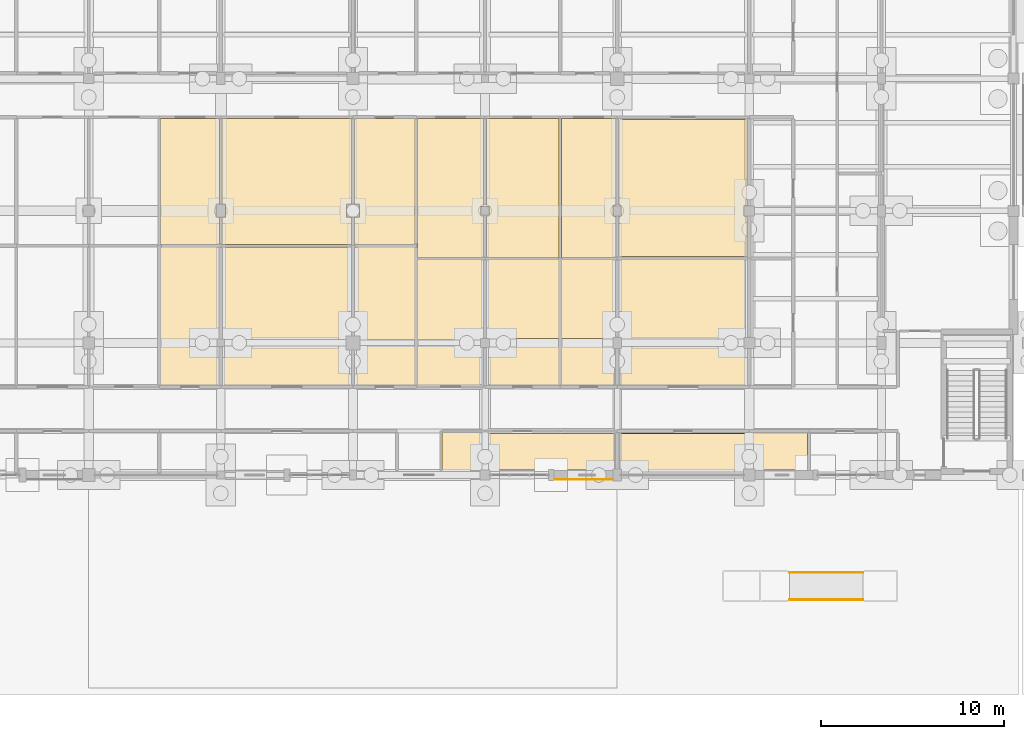
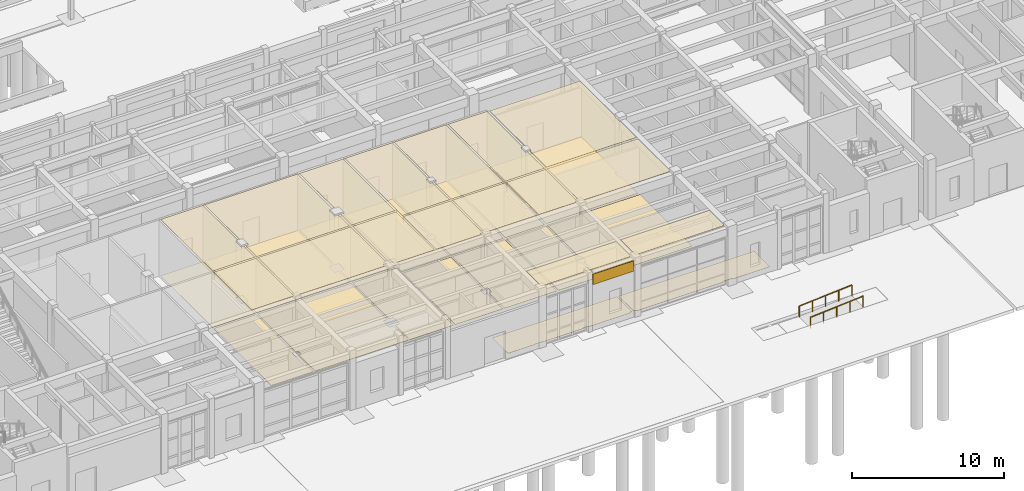
# One storey, part 129 of 143: 33 coverings, 2 railings.
"""IFC4 building model written with IfcOpenShell, lengths in metres."""

from ifc_helpers import new_model, si_unit, direction, frame, origin, origin_2d, place, context, subcontext, project, spatial, polyline, rectangle, circle, outline, extrude, material, layer, layer_set, type_object, element, save


model = new_model("IFC4")

# Units and contexts
model_context = context("Model", 3, precision=1e-05, world=origin(), true_north=direction((0.0, 1.0)))
body_context = subcontext(model_context, "Body", "Model", "MODEL_VIEW")
ifc_project = project(units=[si_unit("LENGTHUNIT", "METRE"), si_unit("AREAUNIT", "SQUARE_METRE"), si_unit("VOLUMEUNIT", "CUBIC_METRE"), si_unit("PLANEANGLEUNIT", "RADIAN"), si_unit("MASSUNIT", "GRAM", prefix="KILO")], contexts=[model_context])

# Site, building, storey
site_placement = place(None, origin())
site = spatial("IfcSite", under=ifc_project, at=site_placement, CompositionType="ELEMENT")
building_placement = place(site_placement, origin())
building = spatial("IfcBuilding", under=site, at=building_placement, Name="Steenspoor Specialist Clinic", CompositionType="ELEMENT")
storey_placement = place(building_placement, origin())
storey = spatial("IfcBuildingStorey", under=building, at=storey_placement, Name="L00", CompositionType="ELEMENT", Elevation=0.0)

# Coverings
ifc_material_1 = material(Name="Washable acoustic mineral ceiling board", Category="gypsum")
ifc_layer_1 = layer(ifc_material_1, 0.02490234375)
ifc_layer_set_1 = layer_set([ifc_layer_1], Name="Washable acoustic mineral ceiling board")
covering_type_1 = type_object("IfcCoveringType", Name="COV-CEIL-ACOUSTIC", PredefinedType="CEILING", material=ifc_layer_set_1)
covering_1_placement = place(storey_placement, frame((0.0, 0.0, 4.52490234375)))
element("IfcCovering", 1, at=covering_1_placement, inside=storey, type_object=covering_type_1, Name="Acoustic Clinical Ceiling 003", PredefinedType="CEILING", context=body_context, shape_type="SweptSolid", body=[
    extrude(outline(polyline([(92.1650390625, 13.31005859375), (92.1650390625, 13.375), (91.8349609375, 13.375), (91.8349609375, 13.31005859375), (88.68994140625, 13.31005859375), (88.68994140625, 13.340087890625), (88.594970703125, 13.340087890625), (88.594970703125, 15.300048828125), (95.429931640625, 15.300048828125), (95.429931640625, 13.389892578125), (95.360107421875, 13.389892578125), (95.360107421875, 13.31005859375), (92.1650390625, 13.31005859375)])), origin(), (0.0, 0.0, 1.0), 0.025146484375),
])
covering_2_placement = place(storey_placement, frame((0.0, 0.0, 4.52490234375)))
element("IfcCovering", 2, at=covering_2_placement, inside=storey, type_object=covering_type_1, Name="Acoustic Clinical Ceiling 004", PredefinedType="CEILING", context=body_context, shape_type="SweptSolid", body=[
    extrude(outline(polyline([(95.840087890625, 13.31005859375), (95.840087890625, 13.389892578125), (95.77001953125, 13.389892578125), (95.77001953125, 15.31005859375), (102.554931640625, 15.31005859375), (102.554931640625, 13.389892578125), (102.4599609375, 13.389892578125), (102.4599609375, 13.31005859375), (95.840087890625, 13.31005859375)])), origin(), (0.0, 0.0, 1.0), 0.025146484375),
])
covering_3_placement = place(storey_placement, frame((0.0, 0.0, 4.52490234375)))
element("IfcCovering", 3, at=covering_3_placement, inside=storey, type_object=covering_type_1, Name="Acoustic Clinical Ceiling 008", PredefinedType="CEILING", context=body_context, shape_type="SweptSolid", body=[
    extrude(outline(polyline([(73.93505859375, 20.465087890625), (73.804931640625, 20.465087890625), (73.804931640625, 20.469970703125), (70.715087890625, 20.469970703125), (70.715087890625, 25.485107421875), (73.93505859375, 25.485107421875), (73.93505859375, 20.465087890625)])), origin(), (0.0, 0.0, 1.0), 0.025146484375),
])
covering_4_placement = place(storey_placement, frame((0.0, 0.0, 4.52490234375)))
element("IfcCovering", 4, at=covering_4_placement, inside=storey, type_object=covering_type_1, Name="Acoustic Clinical Ceiling 009", PredefinedType="CEILING", context=body_context, shape_type="SweptSolid", body=[
    extrude(outline(polyline([(81.135009765625, 20.639892578125), (80.81005859375, 20.639892578125), (80.81005859375, 20.445068359375), (74.215087890625, 20.445068359375), (74.215087890625, 20.465087890625), (74.06494140625, 20.465087890625), (74.06494140625, 25.485107421875), (81.135009765625, 25.485107421875), (81.135009765625, 20.639892578125)])), origin(), (0.0, 0.0, 1.0), 0.025146484375),
])
covering_5_placement = place(storey_placement, frame((0.0, 0.0, 4.52490234375)))
element("IfcCovering", 5, at=covering_5_placement, inside=storey, type_object=covering_type_1, Name="Acoustic Clinical Ceiling 010", PredefinedType="CEILING", context=body_context, shape_type="SweptSolid", body=[
    extrude(outline(polyline([(84.5849609375, 20.419921875), (81.590087890625, 20.419921875), (81.590087890625, 20.639892578125), (81.264892578125, 20.639892578125), (81.264892578125, 25.485107421875), (84.5849609375, 25.485107421875), (84.5849609375, 20.419921875)])), origin(), (0.0, 0.0, 1.0), 0.025146484375),
])
covering_6_placement = place(storey_placement, frame((0.0, 0.0, 4.52490234375)))
element("IfcCovering", 6, at=covering_6_placement, inside=storey, type_object=covering_type_1, Name="Acoustic Clinical Ceiling 011", PredefinedType="CEILING", context=body_context, shape_type="SweptSolid", body=[
    extrude(outline(polyline([(88.3349609375, 20.514892578125), (88.135009765625, 20.514892578125), (88.135009765625, 20.419921875), (84.715087890625, 20.419921875), (84.715087890625, 24.784912109375), (88.3349609375, 24.784912109375), (88.3349609375, 20.514892578125)])), origin(), (0.0, 0.0, 1.0), 0.025146484375),
])
covering_7_placement = place(storey_placement, frame((0.0, 0.0, 4.52490234375)))
element("IfcCovering", 7, at=covering_7_placement, inside=storey, type_object=covering_type_1, Name="Acoustic Clinical Ceiling 012", PredefinedType="CEILING", context=body_context, shape_type="SweptSolid", body=[
    extrude(outline(polyline([(92.43505859375, 20.4951171875), (88.6650390625, 20.4951171875), (88.6650390625, 20.514892578125), (88.465087890625, 20.514892578125), (88.465087890625, 24.784912109375), (92.43505859375, 24.784912109375), (92.43505859375, 20.4951171875)])), origin(), (0.0, 0.0, 1.0), 0.025146484375),
])
covering_8_placement = place(storey_placement, frame((0.0, 0.0, 4.52490234375)))
element("IfcCovering", 8, at=covering_8_placement, inside=storey, type_object=covering_type_1, Name="Acoustic Clinical Ceiling 013", PredefinedType="CEILING", context=body_context, shape_type="SweptSolid", body=[
    extrude(outline(polyline([(95.534912109375, 20.56494140625), (95.360107421875, 20.56494140625), (95.360107421875, 20.4951171875), (92.56494140625, 20.4951171875), (92.56494140625, 24.784912109375), (95.534912109375, 24.784912109375), (95.534912109375, 20.56494140625)])), origin(), (0.0, 0.0, 1.0), 0.025146484375),
])
covering_9_placement = place(storey_placement, frame((0.0, 0.0, 4.52490234375)))
element("IfcCovering", 9, at=covering_9_placement, inside=storey, type_object=covering_type_1, Name="Acoustic Clinical Ceiling 014", PredefinedType="CEILING", context=body_context, shape_type="SweptSolid", body=[
    extrude(outline(polyline([(95.6650390625, 24.784912109375), (102.580078125, 24.784912109375), (102.580078125, 20.56494140625), (102.485107421875, 20.56494140625), (102.485107421875, 20.469970703125), (95.840087890625, 20.469970703125), (95.840087890625, 20.56494140625), (95.6650390625, 20.56494140625), (95.6650390625, 24.784912109375)])), origin(), (0.0, 0.0, 1.0), 0.025146484375),
])
covering_10_placement = place(storey_placement, frame((0.0, 0.0, 4.52490234375)))
element("IfcCovering", 10, at=covering_10_placement, inside=storey, type_object=covering_type_1, Name="Acoustic Clinical Ceiling 015", PredefinedType="CEILING", context=body_context, shape_type="SweptSolid", body=[
    extrude(outline(polyline([(88.3349609375, 27.68994140625), (88.159912109375, 27.68994140625), (88.159912109375, 27.2099609375), (88.3349609375, 27.2099609375), (88.3349609375, 24.9150390625), (84.715087890625, 24.9150390625), (84.715087890625, 32.485107421875), (88.3349609375, 32.485107421875), (88.3349609375, 27.68994140625)])), origin(), (0.0, 0.0, 1.0), 0.025146484375),
])
covering_11_placement = place(storey_placement, frame((0.0, 0.0, 4.52490234375)))
element("IfcCovering", 11, at=covering_11_placement, inside=storey, type_object=covering_type_1, Name="Acoustic Clinical Ceiling 016", PredefinedType="CEILING", context=body_context, shape_type="SweptSolid", body=[
    extrude(outline(polyline([(92.43505859375, 24.9150390625), (88.465087890625, 24.9150390625), (88.465087890625, 27.2099609375), (88.639892578125, 27.2099609375), (88.639892578125, 27.68994140625), (88.465087890625, 27.68994140625), (88.465087890625, 32.485107421875), (92.43505859375, 32.485107421875), (92.43505859375, 24.9150390625)])), origin(), (0.0, 0.0, 1.0), 0.025146484375),
])
covering_12_placement = place(storey_placement, frame((0.0, 0.0, 4.52490234375)))
element("IfcCovering", 12, at=covering_12_placement, inside=storey, type_object=covering_type_1, Name="Acoustic Clinical Ceiling 017", PredefinedType="CEILING", context=body_context, shape_type="SweptSolid", body=[
    extrude(outline(polyline([(95.534912109375, 27.739990234375), (95.385009765625, 27.739990234375), (95.385009765625, 27.159912109375), (95.534912109375, 27.159912109375), (95.534912109375, 24.9150390625), (92.56494140625, 24.9150390625), (92.56494140625, 32.485107421875), (95.534912109375, 32.485107421875), (95.534912109375, 27.739990234375)])), origin(), (0.0, 0.0, 1.0), 0.025146484375),
])
covering_13_placement = place(storey_placement, frame((0.0, 0.0, 4.52490234375)))
element("IfcCovering", 13, at=covering_13_placement, inside=storey, type_object=covering_type_1, Name="Acoustic Clinical Ceiling 018", PredefinedType="CEILING", context=body_context, shape_type="SweptSolid", body=[
    extrude(outline(polyline([(95.715087890625, 24.965087890625), (95.715087890625, 27.159912109375), (95.81494140625, 27.159912109375), (95.81494140625, 27.739990234375), (95.715087890625, 27.739990234375), (95.715087890625, 32.43505859375), (102.580078125, 32.43505859375), (102.580078125, 27.739990234375), (102.510009765625, 27.739990234375), (102.510009765625, 27.159912109375), (102.580078125, 27.159912109375), (102.580078125, 24.965087890625), (95.715087890625, 24.965087890625)])), origin(), (0.0, 0.0, 1.0), 0.025146484375),
])
covering_14_placement = place(storey_placement, frame((0.0, 0.0, 4.52490234375)))
element("IfcCovering", 14, at=covering_14_placement, inside=storey, type_object=covering_type_1, Name="Acoustic Clinical Ceiling 022", PredefinedType="CEILING", context=body_context, shape_type="SweptSolid", body=[
    extrude(outline(polyline([(73.93505859375, 27.81494140625), (73.735107421875, 27.81494140625), (73.735107421875, 27.0849609375), (73.93505859375, 27.0849609375), (73.93505859375, 25.614990234375), (70.715087890625, 25.614990234375), (70.715087890625, 32.485107421875), (73.93505859375, 32.485107421875), (73.93505859375, 27.81494140625)])), origin(), (0.0, 0.0, 1.0), 0.025146484375),
])
covering_15_placement = place(storey_placement, frame((0.0, 0.0, 4.52490234375)))
element("IfcCovering", 15, at=covering_15_placement, inside=storey, type_object=covering_type_1, Name="Acoustic Clinical Ceiling 023", PredefinedType="CEILING", context=body_context, shape_type="SweptSolid", body=[
    extrude(outline(polyline([(81.135009765625, 27.81494140625), (80.8349609375, 27.81494140625), (80.8349609375, 27.0849609375), (81.135009765625, 27.0849609375), (81.135009765625, 25.614990234375), (74.06494140625, 25.614990234375), (74.06494140625, 27.0849609375), (74.264892578125, 27.0849609375), (74.264892578125, 27.81494140625), (74.06494140625, 27.81494140625), (74.06494140625, 32.485107421875), (81.135009765625, 32.485107421875), (81.135009765625, 27.81494140625)])), origin(), (0.0, 0.0, 1.0), 0.025146484375),
])
covering_16_placement = place(storey_placement, frame((0.0, 0.0, 4.52490234375)))
element("IfcCovering", 16, at=covering_16_placement, inside=storey, type_object=covering_type_1, Name="Acoustic Clinical Ceiling 024", PredefinedType="CEILING", context=body_context, shape_type="SweptSolid", body=[
    extrude(outline(polyline([(84.5849609375, 25.614990234375), (81.264892578125, 25.614990234375), (81.264892578125, 27.0849609375), (81.56494140625, 27.0849609375), (81.56494140625, 27.81494140625), (81.264892578125, 27.81494140625), (81.264892578125, 32.485107421875), (84.5849609375, 32.485107421875), (84.5849609375, 25.614990234375)])), origin(), (0.0, 0.0, 1.0), 0.025146484375),
])
ifc_material_2 = material(Name="Glazed ceramic relief spandrel cladding", Category="masonry")
ifc_layer_2 = layer(ifc_material_2, 0.034912109375)
ifc_layer_set_2 = layer_set([ifc_layer_2], Name="Glazed ceramic relief spandrel cladding")
covering_type_2 = type_object("IfcCoveringType", Name="COV-CLAD-CERAMIC", PredefinedType="CLADDING", material=ifc_layer_set_2)
covering_17_placement = place(storey_placement, frame((93.762451171875, 12.800048828125, 3.71484375), z_axis=(0.0, 0.0, 1.0), x_axis=(-1.0, 0.0, 0.0)))
element("IfcCovering", 17, at=covering_17_placement, inside=storey, type_object=covering_type_2, Name="Spandrel Cladding 1", PredefinedType="CLADDING", context=body_context, shape_type="SweptSolid", body=[
    extrude(rectangle(XDim=3.10498046875, YDim=0.0400390625, at=origin_2d()), origin(), (0.0, 0.0, 1.0), 0.840087890625),
])
ifc_material_3 = material(Name="Seamless clinical vinyl and terrazzo flooring", Category="plastic")
ifc_layer_3 = layer(ifc_material_3, 0.02001953125)
ifc_layer_set_3 = layer_set([ifc_layer_3], Name="Seamless clinical vinyl and terrazzo flooring")
covering_type_3 = type_object("IfcCoveringType", Name="COV-FLOOR-VINYL", PredefinedType="FLOORING", material=ifc_layer_set_3)
covering_18_placement = place(storey_placement, origin())
element("IfcCovering", 18, at=covering_18_placement, inside=storey, type_object=covering_type_3, Name="Clinical Vinyl Flooring 4", PredefinedType="FLOORING", context=body_context, shape_type="SweptSolid", body=[
    extrude(outline(polyline([(92.1650390625, 13.31005859375), (92.1650390625, 13.375), (91.8349609375, 13.375), (91.8349609375, 13.31005859375), (88.68994140625, 13.31005859375), (88.68994140625, 13.340087890625), (88.110107421875, 13.340087890625), (88.110107421875, 13.31005859375), (86.06494140625, 13.31005859375), (86.06494140625, 15.385009765625), (95.534912109375, 15.385009765625), (95.534912109375, 13.389892578125), (95.360107421875, 13.389892578125), (95.360107421875, 13.31005859375), (92.1650390625, 13.31005859375)])), origin(), (0.0, 0.0, 1.0), 0.02001953125),
])
covering_19_placement = place(storey_placement, origin())
element("IfcCovering", 19, at=covering_19_placement, inside=storey, type_object=covering_type_3, Name="Clinical Vinyl Flooring 5", PredefinedType="FLOORING", context=body_context, shape_type="SweptSolid", body=[
    extrude(outline(polyline([(103.139892578125, 13.31005859375), (103.139892578125, 13.389892578125), (102.4599609375, 13.389892578125), (102.4599609375, 13.31005859375), (95.840087890625, 13.31005859375), (95.840087890625, 13.389892578125), (95.6650390625, 13.389892578125), (95.6650390625, 15.385009765625), (105.985107421875, 15.385009765625), (105.985107421875, 13.31005859375), (103.139892578125, 13.31005859375)])), origin(), (0.0, 0.0, 1.0), 0.02001953125),
])
covering_20_placement = place(storey_placement, origin())
element("IfcCovering", 20, at=covering_20_placement, inside=storey, type_object=covering_type_3, Name="Clinical Vinyl Flooring 9", PredefinedType="FLOORING", context=body_context, shape_type="SweptSolid", body=[
    extrude(outline(polyline([(73.93505859375, 25.485107421875), (73.93505859375, 20.465087890625), (73.784912109375, 20.465087890625), (73.784912109375, 20.034912109375), (73.93505859375, 20.034912109375), (73.93505859375, 17.9150390625), (70.715087890625, 17.9150390625), (70.715087890625, 25.485107421875), (73.93505859375, 25.485107421875)])), origin(), (0.0, 0.0, 1.0), 0.02001953125),
])
covering_21_placement = place(storey_placement, origin())
element("IfcCovering", 21, at=covering_21_placement, inside=storey, type_object=covering_type_3, Name="Clinical Vinyl Flooring 10", PredefinedType="FLOORING", context=body_context, shape_type="SweptSolid", body=[
    extrude(outline(polyline([(81.135009765625, 25.485107421875), (81.135009765625, 20.639892578125), (80.81005859375, 20.639892578125), (80.81005859375, 19.860107421875), (81.135009765625, 19.860107421875), (81.135009765625, 17.9150390625), (74.06494140625, 17.9150390625), (74.06494140625, 20.034912109375), (74.215087890625, 20.034912109375), (74.215087890625, 20.465087890625), (74.06494140625, 20.465087890625), (74.06494140625, 25.485107421875), (81.135009765625, 25.485107421875)])), origin(), (0.0, 0.0, 1.0), 0.02001953125),
])
covering_22_placement = place(storey_placement, origin())
element("IfcCovering", 22, at=covering_22_placement, inside=storey, type_object=covering_type_3, Name="Clinical Vinyl Flooring 11", PredefinedType="FLOORING", context=body_context, shape_type="SweptSolid", body=[
    extrude(outline(polyline([(84.5849609375, 25.485107421875), (84.5849609375, 17.9150390625), (81.264892578125, 17.9150390625), (81.264892578125, 19.860107421875), (81.590087890625, 19.860107421875), (81.590087890625, 20.639892578125), (81.264892578125, 20.639892578125), (81.264892578125, 25.485107421875), (84.5849609375, 25.485107421875)])), origin(), (0.0, 0.0, 1.0), 0.02001953125),
])
covering_23_placement = place(storey_placement, origin())
element("IfcCovering", 23, at=covering_23_placement, inside=storey, type_object=covering_type_3, Name="Clinical Vinyl Flooring 12", PredefinedType="FLOORING", context=body_context, shape_type="SweptSolid", body=[
    extrude(outline(polyline([(88.3349609375, 24.784912109375), (88.3349609375, 20.514892578125), (88.135009765625, 20.514892578125), (88.135009765625, 19.985107421875), (88.3349609375, 19.985107421875), (88.3349609375, 17.9150390625), (84.715087890625, 17.9150390625), (84.715087890625, 24.784912109375), (88.3349609375, 24.784912109375)])), origin(), (0.0, 0.0, 1.0), 0.02001953125),
])
covering_24_placement = place(storey_placement, origin())
element("IfcCovering", 24, at=covering_24_placement, inside=storey, type_object=covering_type_3, Name="Clinical Vinyl Flooring 13", PredefinedType="FLOORING", context=body_context, shape_type="SweptSolid", body=[
    extrude(outline(polyline([(92.43505859375, 24.784912109375), (92.43505859375, 17.9150390625), (88.465087890625, 17.9150390625), (88.465087890625, 19.985107421875), (88.6650390625, 19.985107421875), (88.6650390625, 20.514892578125), (88.465087890625, 20.514892578125), (88.465087890625, 24.784912109375), (92.43505859375, 24.784912109375)])), origin(), (0.0, 0.0, 1.0), 0.02001953125),
])
covering_25_placement = place(storey_placement, origin())
element("IfcCovering", 25, at=covering_25_placement, inside=storey, type_object=covering_type_3, Name="Clinical Vinyl Flooring 14", PredefinedType="FLOORING", context=body_context, shape_type="SweptSolid", body=[
    extrude(outline(polyline([(95.534912109375, 24.784912109375), (95.534912109375, 20.56494140625), (95.360107421875, 20.56494140625), (95.360107421875, 19.93505859375), (95.534912109375, 19.93505859375), (95.534912109375, 17.9150390625), (92.56494140625, 17.9150390625), (92.56494140625, 24.784912109375), (95.534912109375, 24.784912109375)])), origin(), (0.0, 0.0, 1.0), 0.02001953125),
])
covering_26_placement = place(storey_placement, origin())
element("IfcCovering", 26, at=covering_26_placement, inside=storey, type_object=covering_type_3, Name="Clinical Vinyl Flooring 15", PredefinedType="FLOORING", context=body_context, shape_type="SweptSolid", body=[
    extrude(outline(polyline([(102.735107421875, 24.784912109375), (102.735107421875, 20.56494140625), (102.485107421875, 20.56494140625), (102.485107421875, 19.93505859375), (102.735107421875, 19.93505859375), (102.735107421875, 17.9150390625), (95.6650390625, 17.9150390625), (95.6650390625, 19.93505859375), (95.840087890625, 19.93505859375), (95.840087890625, 20.56494140625), (95.6650390625, 20.56494140625), (95.6650390625, 24.784912109375), (102.735107421875, 24.784912109375)])), origin(), (0.0, 0.0, 1.0), 0.02001953125),
])
covering_27_placement = place(storey_placement, origin())
element("IfcCovering", 27, at=covering_27_placement, inside=storey, type_object=covering_type_3, Name="Clinical Vinyl Flooring 18", PredefinedType="FLOORING", context=body_context, shape_type="SweptSolid", body=[
    extrude(outline(polyline([(88.3349609375, 32.485107421875), (88.3349609375, 27.68994140625), (88.159912109375, 27.68994140625), (88.159912109375, 27.2099609375), (88.3349609375, 27.2099609375), (88.3349609375, 24.9150390625), (84.715087890625, 24.9150390625), (84.715087890625, 32.485107421875), (88.3349609375, 32.485107421875)])), origin(), (0.0, 0.0, 1.0), 0.02001953125),
])
covering_28_placement = place(storey_placement, origin())
element("IfcCovering", 28, at=covering_28_placement, inside=storey, type_object=covering_type_3, Name="Clinical Vinyl Flooring 19", PredefinedType="FLOORING", context=body_context, shape_type="SweptSolid", body=[
    extrude(outline(polyline([(92.43505859375, 32.485107421875), (92.43505859375, 24.9150390625), (88.465087890625, 24.9150390625), (88.465087890625, 27.2099609375), (88.639892578125, 27.2099609375), (88.639892578125, 27.68994140625), (88.465087890625, 27.68994140625), (88.465087890625, 32.485107421875), (92.43505859375, 32.485107421875)])), origin(), (0.0, 0.0, 1.0), 0.02001953125),
])
covering_29_placement = place(storey_placement, origin())
element("IfcCovering", 29, at=covering_29_placement, inside=storey, type_object=covering_type_3, Name="Clinical Vinyl Flooring 20", PredefinedType="FLOORING", context=body_context, shape_type="SweptSolid", body=[
    extrude(outline(polyline([(95.534912109375, 32.485107421875), (95.534912109375, 27.739990234375), (95.385009765625, 27.739990234375), (95.385009765625, 27.159912109375), (95.534912109375, 27.159912109375), (95.534912109375, 24.9150390625), (92.56494140625, 24.9150390625), (92.56494140625, 32.485107421875), (95.534912109375, 32.485107421875)])), origin(), (0.0, 0.0, 1.0), 0.02001953125),
])
covering_30_placement = place(storey_placement, origin())
element("IfcCovering", 30, at=covering_30_placement, inside=storey, type_object=covering_type_3, Name="Clinical Vinyl Flooring 21", PredefinedType="FLOORING", context=body_context, shape_type="SweptSolid", body=[
    extrude(outline(polyline([(102.68505859375, 32.43505859375), (102.68505859375, 27.739990234375), (102.510009765625, 27.739990234375), (102.510009765625, 27.159912109375), (102.68505859375, 27.159912109375), (102.68505859375, 24.965087890625), (95.715087890625, 24.965087890625), (95.715087890625, 27.159912109375), (95.81494140625, 27.159912109375), (95.81494140625, 27.739990234375), (95.715087890625, 27.739990234375), (95.715087890625, 32.43505859375), (102.68505859375, 32.43505859375)])), origin(), (0.0, 0.0, 1.0), 0.02001953125),
])
covering_31_placement = place(storey_placement, origin())
element("IfcCovering", 31, at=covering_31_placement, inside=storey, type_object=covering_type_3, Name="Clinical Vinyl Flooring 26", PredefinedType="FLOORING", context=body_context, shape_type="SweptSolid", body=[
    extrude(outline(polyline([(73.93505859375, 32.485107421875), (73.93505859375, 27.81494140625), (73.735107421875, 27.81494140625), (73.735107421875, 27.0849609375), (73.93505859375, 27.0849609375), (73.93505859375, 25.614990234375), (70.715087890625, 25.614990234375), (70.715087890625, 32.485107421875), (73.93505859375, 32.485107421875)])), origin(), (0.0, 0.0, 1.0), 0.02001953125),
])
covering_32_placement = place(storey_placement, origin())
element("IfcCovering", 32, at=covering_32_placement, inside=storey, type_object=covering_type_3, Name="Clinical Vinyl Flooring 27", PredefinedType="FLOORING", context=body_context, shape_type="SweptSolid", body=[
    extrude(outline(polyline([(81.135009765625, 32.485107421875), (81.135009765625, 27.81494140625), (80.8349609375, 27.81494140625), (80.8349609375, 27.0849609375), (81.135009765625, 27.0849609375), (81.135009765625, 25.614990234375), (74.06494140625, 25.614990234375), (74.06494140625, 27.0849609375), (74.264892578125, 27.0849609375), (74.264892578125, 27.81494140625), (74.06494140625, 27.81494140625), (74.06494140625, 32.485107421875), (81.135009765625, 32.485107421875)])), origin(), (0.0, 0.0, 1.0), 0.02001953125),
])
covering_33_placement = place(storey_placement, origin())
element("IfcCovering", 33, at=covering_33_placement, inside=storey, type_object=covering_type_3, Name="Clinical Vinyl Flooring 28", PredefinedType="FLOORING", context=body_context, shape_type="SweptSolid", body=[
    extrude(outline(polyline([(84.5849609375, 32.485107421875), (84.5849609375, 25.614990234375), (81.264892578125, 25.614990234375), (81.264892578125, 27.0849609375), (81.56494140625, 27.0849609375), (81.56494140625, 27.81494140625), (81.264892578125, 27.81494140625), (81.264892578125, 32.485107421875), (84.5849609375, 32.485107421875)])), origin(), (0.0, 0.0, 1.0), 0.02001953125),
])

# Railings
ifc_material_4 = material(Name="Brushed stainless steel clinical handrail", Category="steel")
railing_type = type_object("IfcRailingType", Name="RAIL-HAND-900", PredefinedType="HANDRAIL", material=ifc_material_4)
for number, where, name in (
    (34, (105.0, 6.260009765625, -0.300048828125), "Ramp Handrail RMP-02 L"),
    (35, (105.0, 7.739990234375, -0.300048828125), "Ramp Handrail RMP-02 R"),
):
    element("IfcRailing", number, at=place(storey_placement, frame(where)), inside=storey, type_object=railing_type, Name=name, PredefinedType="HANDRAIL", context=body_context, shape_type="SweptSolid", body=[
        extrude(circle(Radius=0.02392578125, at=origin_2d()), frame((0.0, 0.0, 0.8759765625), z_axis=(0.997198401959, 0.0, 0.074802052979), x_axis=(0.0, 1.0, 0.0)), (0.0, 0.0, 1.0), 4.01123046875),
        extrude(circle(Radius=0.02099609375, at=origin_2d()), origin(), (0.0, 0.0, 1.0), 0.851806640625),
        extrude(circle(Radius=0.02099609375, at=origin_2d()), frame((1.0, 0.0, 0.074951171875)), (0.0, 0.0, 1.0), 0.851806640625),
        extrude(circle(Radius=0.02099609375, at=origin_2d()), frame((2.0, 0.0, 0.14990234375)), (0.0, 0.0, 1.0), 0.851806640625),
        extrude(circle(Radius=0.02099609375, at=origin_2d()), frame((3.0, 0.0, 0.22509765625)), (0.0, 0.0, 1.0), 0.851806640625),
        extrude(circle(Radius=0.02099609375, at=origin_2d()), frame((4.0, 0.0, 0.300048828125)), (0.0, 0.0, 1.0), 0.851806640625),
    ])

save(model, "model.ifc")
